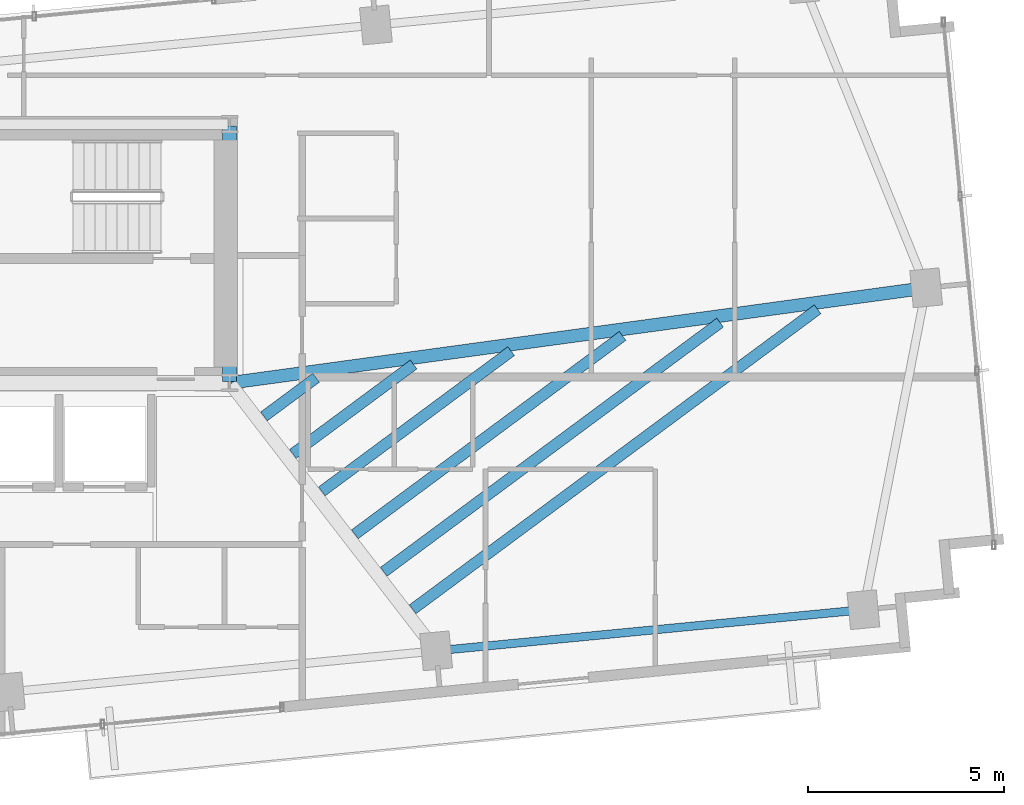
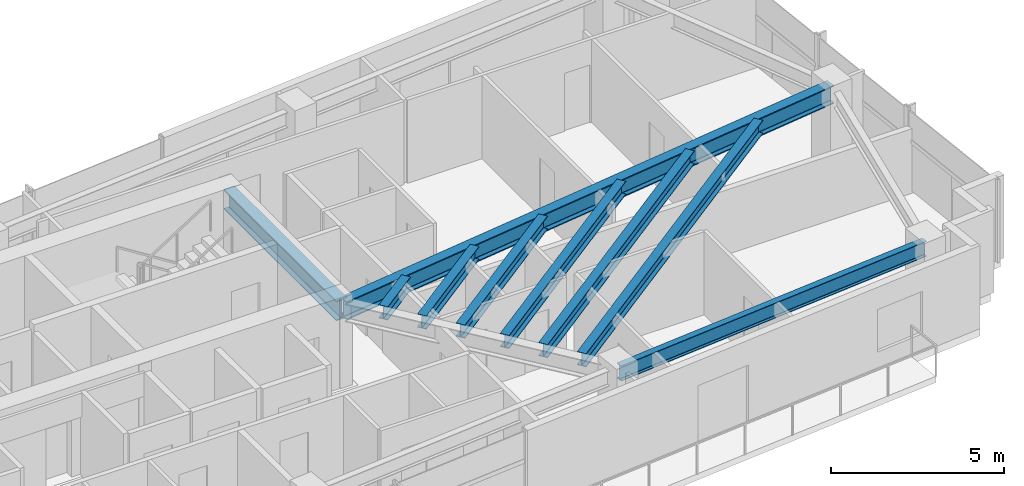
# One storey, part 9 of 18: 9 beams.
"""IFC4 building model written with IfcOpenShell, lengths in metres."""

import ifcopenshell
import ifcopenshell.guid

model = None  # the IFC model being written
_history = None  # IfcOwnerHistory: only IFC2X3 demands one
_inside = {}  # id of a spatial element -> (the spatial element, [elements in it])
_under = {}  # id of a project, library or spatial element -> (it, [spatial elements below it])
_declared = {}  # id of a project -> (the project, [libraries it declares])
_typed = {}  # id of a type object -> (the type object, [elements of that type])
_made_of = {}  # id of a material, layer set ... -> (it, [elements and type objects made of it])


def new_model(schema):
    """Start an empty IFC model of exactly this schema.

    Asked for "IFC4X3", IfcOpenShell would pick the latest addendum, in which some entities
    have other attributes; the version numbers below select the first issue.
    IFC2X3 requires an IfcOwnerHistory on every rooted entity: one is made here for all.
    """
    global model, _history
    if schema == "IFC4X3":
        model = ifcopenshell.file(schema_version=(4, 3, 0, 0))
    else:
        model = ifcopenshell.file(schema=schema)
    _inside.clear()
    _under.clear()
    _declared.clear()
    _typed.clear()
    _made_of.clear()
    _history = None
    if model.schema == "IFC2X3":
        org = make("IfcOrganization", Name="unknown")
        user = make(
            "IfcPersonAndOrganization",
            ThePerson=make("IfcPerson", FamilyName="unknown"),
            TheOrganization=org,
        )
        app = make(
            "IfcApplication",
            ApplicationDeveloper=org,
            Version="unknown",
            ApplicationFullName="unknown",
            ApplicationIdentifier="unknown",
        )
        _history = make(
            "IfcOwnerHistory",
            OwningUser=user,
            OwningApplication=app,
            ChangeAction="ADDED",
            CreationDate=0,
        )
    return model


def make(cls, **values):
    """One entity of the class cls with the attributes given. An attribute that is None is left unset."""
    return model.create_entity(
        cls, **{name: value for name, value in values.items() if value is not None}
    )


def rooted(cls, **values):
    """An entity with a GlobalId (a new one), such as an element, a storey or a relation."""
    return make(cls, GlobalId=ifcopenshell.guid.new(), OwnerHistory=_history, **values)


def si_unit(unit_type, name, prefix=None):
    """IfcSIUnit, for example si_unit("LENGTHUNIT", "METRE", prefix="MILLI")."""
    return make("IfcSIUnit", UnitType=unit_type, Prefix=prefix, Name=name)


def assignment(units):
    """IfcUnitAssignment: the units of a project."""
    return None if units is None else make("IfcUnitAssignment", Units=units)


def point(xyz):
    """IfcCartesianPoint."""
    return None if xyz is None else make("IfcCartesianPoint", Coordinates=xyz)


def direction(xyz):
    """IfcDirection."""
    return None if xyz is None else make("IfcDirection", DirectionRatios=xyz)


def frame(location, z_axis=None, x_axis=None):
    """IfcAxis2Placement3D, a coordinate frame: its origin and axes. An axis left out is left unset."""
    return make(
        "IfcAxis2Placement3D",
        Location=point(location),
        Axis=direction(z_axis),
        RefDirection=direction(x_axis),
    )


def frame_2d(location, x_axis=None):
    """IfcAxis2Placement2D, a coordinate frame in the plane: its origin and x axis."""
    return make(
        "IfcAxis2Placement2D", Location=point(location), RefDirection=direction(x_axis)
    )


def origin():
    """The frame at (0, 0, 0) with its axes left unset."""
    return frame((0.0, 0.0, 0.0))


def origin_2d():
    """The frame at (0, 0) in the plane with its x axis left unset."""
    return frame_2d((0.0, 0.0))


def place(relative_to, where):
    """IfcLocalPlacement: puts the frame where relative to a parent placement (None: the world)."""
    return make(
        "IfcLocalPlacement", PlacementRelTo=relative_to, RelativePlacement=where
    )


def context(
    kind, dimensions, precision=None, world=None, true_north=None, identifier=None
):
    """IfcGeometricRepresentationContext, for example the 3D "Model" context."""
    return make(
        "IfcGeometricRepresentationContext",
        ContextIdentifier=identifier,
        ContextType=kind,
        CoordinateSpaceDimension=dimensions,
        Precision=precision,
        WorldCoordinateSystem=world,
        TrueNorth=true_north,
    )


def subcontext(parent, identifier, kind, view, scale=None):
    """IfcGeometricRepresentationSubContext, for example "Body" below "Model"."""
    return make(
        "IfcGeometricRepresentationSubContext",
        ContextIdentifier=identifier,
        ContextType=kind,
        ParentContext=parent,
        TargetScale=scale,
        TargetView=view,
    )


def project(units=None, contexts=None):
    """IfcProject with its units and contexts."""
    return rooted(
        "IfcProject",
        Name="project",
        RepresentationContexts=contexts,
        UnitsInContext=assignment(units),
    )


def spatial(cls, under=None, at=None, **own):
    """A site, building, storey or space (cls), placed at a placement, below another one or the project."""
    s = rooted(cls, ObjectPlacement=at, **own)
    if under is not None:
        _under.setdefault(under.id(), (under, []))[1].append(s)
    return s


def profile(cls, at=None, kind="AREA", **sizes):
    """A parametric profile (cls). Its sizes go by their IFC names, for example OverallWidth=200.0."""
    return make(cls, ProfileType=kind, Position=at, **sizes)


def i_section(**sizes):
    """IfcIShapeProfileDef."""
    return profile("IfcIShapeProfileDef", **sizes)


def extrude(swept, where, along, depth):
    """IfcExtrudedAreaSolid: the profile swept, set in the frame where, extruded along a direction by depth."""
    return make(
        "IfcExtrudedAreaSolid",
        SweptArea=swept,
        Position=where,
        ExtrudedDirection=direction(along),
        Depth=depth,
    )


def shape(context_of_items, identifier, shape_type, items):
    """IfcShapeRepresentation: the items that make up one representation, for example the "Body"."""
    return make(
        "IfcShapeRepresentation",
        ContextOfItems=context_of_items,
        RepresentationIdentifier=identifier,
        RepresentationType=shape_type,
        Items=items,
    )


def source(mapping_origin, context_of_items, identifier, shape_type, items):
    """IfcRepresentationMap: a shape defined once, which mapped items show again and again."""
    return make(
        "IfcRepresentationMap",
        MappingOrigin=mapping_origin,
        MappedRepresentation=shape(context_of_items, identifier, shape_type, items),
    )


def transform(
    local_origin,
    x_axis=None,
    y_axis=None,
    z_axis=None,
    scale=None,
    scale2=None,
    scale3=None,
    uniform=True,
):
    """IfcCartesianTransformationOperator3D, or its non-uniform kind. x_axis, y_axis, z_axis: its Axis1, 2, 3."""
    if uniform:
        return make(
            "IfcCartesianTransformationOperator3D",
            Axis1=direction(x_axis),
            Axis2=direction(y_axis),
            LocalOrigin=point(local_origin),
            Scale=scale,
            Axis3=direction(z_axis),
        )
    return make(
        "IfcCartesianTransformationOperator3DnonUniform",
        Axis1=direction(x_axis),
        Axis2=direction(y_axis),
        LocalOrigin=point(local_origin),
        Scale=scale,
        Axis3=direction(z_axis),
        Scale2=scale2,
        Scale3=scale3,
    )


def mapped(mapping_source, mapping_target):
    """IfcMappedItem: shows the shape of a source again, moved by a transform."""
    return make(
        "IfcMappedItem", MappingSource=mapping_source, MappingTarget=mapping_target
    )


def material(Name=None, Category=None):
    """IfcMaterial."""
    return make("IfcMaterial", Name=Name, Category=Category)


def material_profile(
    of_material, cross_section, Name=None, Category=None, Priority=None
):
    """IfcMaterialProfile: a cross section and its material."""
    return make(
        "IfcMaterialProfile",
        Name=Name,
        Material=of_material,
        Profile=cross_section,
        Priority=Priority,
        Category=Category,
    )


def profile_set(profiles, Name=None, composite=None):
    """IfcMaterialProfileSet."""
    return make(
        "IfcMaterialProfileSet",
        Name=Name,
        MaterialProfiles=profiles,
        CompositeProfile=composite,
    )


def made_of(thing, what):
    """Note that an element or type object is made of a material, layer set ...; save() writes the relation."""
    if what is not None:
        _made_of.setdefault(what.id(), (what, []))[1].append(thing)
    return thing


def type_object(cls, material=None, **own):
    """A type object (cls), such as IfcWallType, which elements share."""
    return made_of(rooted(cls, **own), material)


def type_shapes(of_type, sources):
    """Give a type object the sources (RepresentationMaps) that its elements show as mapped items."""
    of_type.RepresentationMaps = sources


def element(
    cls,
    number,
    at=None,
    inside=None,
    cuts=None,
    type_object=None,
    material=None,
    context=None,
    identifier="Body",
    shape_type=None,
    held_by="IfcProductDefinitionShape",
    body=None,
    shapes=None,
    **own,
):
    """One element of the class cls, such as IfcWall. Its Tag is "e" and its number.

    at: its placement. inside: the storey or other place that contains it. cuts: it is an
    opening in that element (IfcRelVoidsElement). A single representation is given by context,
    identifier, shape_type and body (its items); several are given by shapes. held_by: the class
    of the entity that holds the representations. save() writes the other relations.
    """
    e = rooted(cls, Tag="e%d" % number, ObjectPlacement=at, **own)
    if body is not None:
        shapes = [shape(context, identifier, shape_type, body)]
    if shapes is not None:
        e.Representation = make(held_by, Representations=shapes)
    if inside is not None:
        _inside.setdefault(inside.id(), (inside, []))[1].append(e)
    if cuts is not None:
        rooted(
            "IfcRelVoidsElement", RelatingBuildingElement=cuts, RelatedOpeningElement=e
        )
    if type_object is not None:
        _typed.setdefault(type_object.id(), (type_object, []))[1].append(e)
    return made_of(e, material)


def aggregate(whole, parts):
    """IfcRelAggregates: a whole, such as a stair, and the parts it consists of."""
    return rooted("IfcRelAggregates", RelatingObject=whole, RelatedObjects=parts)


def save(model, path):
    """Write the relations noted so far, then the file.

    IfcRelAggregates (storeys below a building ...), IfcRelContainedInSpatialStructure (elements
    in a storey), IfcRelDefinesByType, IfcRelAssociatesMaterial and IfcRelDeclares: one each for
    every whole, place, type object, material and project.
    """
    for whole, parts in _under.values():
        aggregate(whole, parts)
    for where, things in _inside.values():
        rooted(
            "IfcRelContainedInSpatialStructure",
            RelatedElements=things,
            RelatingStructure=where,
        )
    for kind, things in _typed.values():
        rooted("IfcRelDefinesByType", RelatedObjects=things, RelatingType=kind)
    for what, things in _made_of.values():
        rooted("IfcRelAssociatesMaterial", RelatedObjects=things, RelatingMaterial=what)
    for by, libraries in _declared.values():
        rooted("IfcRelDeclares", RelatingContext=by, RelatedDefinitions=libraries)
    model.write(path)


model = new_model("IFC4")

# Units and contexts
model_context = context("Model", 3, precision=1e-05, world=origin(), true_north=direction((0.0, 1.0)))
body_context = subcontext(model_context, "Body", "Model", "MODEL_VIEW")
ifc_project = project(units=[si_unit("LENGTHUNIT", "METRE"), si_unit("AREAUNIT", "SQUARE_METRE"), si_unit("VOLUMEUNIT", "CUBIC_METRE"), si_unit("PLANEANGLEUNIT", "RADIAN"), si_unit("MASSUNIT", "GRAM", prefix="KILO")], contexts=[model_context])

# Site, building, storey
site_placement = place(None, origin())
site = spatial("IfcSite", under=ifc_project, at=site_placement, CompositionType="ELEMENT")
building_placement = place(site_placement, origin())
building = spatial("IfcBuilding", under=site, at=building_placement, Name="Astriad Promenade Condominiums", CompositionType="ELEMENT")
storey_placement = place(building_placement, frame((0.0, 0.0, 189.0)))
storey = spatial("IfcBuildingStorey", under=building, at=storey_placement, Name="L54", CompositionType="ELEMENT", Elevation=189.0)

# Beams
ifc_material = material(Name="Steel ASTM A992 Grade 50", Category="steel")
ifc_material_profile_1 = material_profile(ifc_material, i_section(OverallWidth=0.35791015625, OverallDepth=0.706298828125, WebThickness=0.018310546875, FlangeThickness=0.0302734375, FilletRadius=0.020263671875, at=origin_2d()), Name="W27X178")
ifc_profile_set_1 = profile_set([ifc_material_profile_1], Name="Steel ASTM A992 Grade 50")
beam_type_1 = type_object("IfcBeamType", Name="STEEL FLOOR GIRDER W27X178", PredefinedType="BEAM", material=ifc_profile_set_1)
shared_shape_1 = source(origin(), body_context, "Body", "SweptSolid", [
    extrude(i_section(OverallWidth=0.35791015625, OverallDepth=0.706298828125, WebThickness=0.018310546875, FlangeThickness=0.0302734375, FilletRadius=0.020263671875, at=origin_2d()), origin(), (0.0, 0.0, 1.0), 6.52001953125),
])
type_shapes(beam_type_1, [shared_shape_1])
beam_1_placement = place(storey_placement, frame((45.60009765625, 17.43994140625, 2.5869140625), z_axis=(0.0, 1.0, 0.0), x_axis=(-1.0, 0.0, 0.0)))
element("IfcBeam", 1, at=beam_1_placement, inside=storey, type_object=beam_type_1, Name="Core Ring Beam CG-E1-L54", PredefinedType="BEAM", context=body_context, shape_type="MappedRepresentation", body=[
    mapped(shared_shape_1, transform((0.0, 0.0, 0.0), scale=1.0)),
])
ifc_material_profile_2 = material_profile(ifc_material, i_section(OverallWidth=0.210693359375, OverallDepth=0.53955078125, WebThickness=0.01171875, FlangeThickness=0.018798828125, FilletRadius=0.0166015625, at=origin_2d()), Name="W21X73")
ifc_profile_set_2 = profile_set([ifc_material_profile_2], Name="Steel ASTM A992 Grade 50")
beam_type_2 = type_object("IfcBeamType", Name="STEEL SPANDREL BEAM W21X73", PredefinedType="SPANDREL", material=ifc_profile_set_2)
shared_shape_2 = source(origin(), body_context, "Body", "SweptSolid", [
    extrude(i_section(OverallWidth=0.210693359375, OverallDepth=0.53955078125, WebThickness=0.01171875, FlangeThickness=0.018798828125, FilletRadius=0.0166015625, at=origin_2d()), origin(), (0.0, 0.0, 1.0), 10.869873046875),
])
type_shapes(beam_type_2, [shared_shape_2])
beam_2_placement = place(storey_placement, frame((50.908203125, 10.5703125, 2.67041015625), z_axis=(0.995396922692, 0.095838229819, 0.0), x_axis=(-0.095838229819, 0.995396922692, 0.0)))
element("IfcBeam", 2, at=beam_2_placement, inside=storey, type_object=beam_type_2, Name="Perimeter Spandrel Beam SP-S4-L54", PredefinedType="SPANDREL", context=body_context, shape_type="MappedRepresentation", body=[
    mapped(shared_shape_2, transform((0.0, 0.0, 0.0), scale=1.0)),
])
ifc_material_profile_3 = material_profile(ifc_material, i_section(OverallWidth=0.327392578125, OverallDepth=0.640625, WebThickness=0.01904296875, FlangeThickness=0.033935546875, FilletRadius=0.017822265625, at=origin_2d()), Name="W24X176")
ifc_profile_set_3 = profile_set([ifc_material_profile_3], Name="Steel ASTM A992 Grade 50")
beam_type_3 = type_object("IfcBeamType", Name="STEEL FLOOR GIRDER W24X176", PredefinedType="BEAM", material=ifc_profile_set_3)
shared_shape_3 = source(origin(), body_context, "Body", "SweptSolid", [
    extrude(i_section(OverallWidth=0.327392578125, OverallDepth=0.640625, WebThickness=0.01904296875, FlangeThickness=0.033935546875, FilletRadius=0.017822265625, at=origin_2d()), origin(), (0.0, 0.0, 1.0), 17.853271484375),
])
type_shapes(beam_type_3, [shared_shape_3])
beam_3_placement = place(storey_placement, frame((63.32861328125, 19.82177734375, 2.61962890625), z_axis=(-0.990799186345, -0.135340209612, 0.0), x_axis=(0.135340209612, -0.990799186345, 0.0)))
element("IfcBeam", 3, at=beam_3_placement, inside=storey, type_object=beam_type_3, Name="Primary Floor Girder PG-EM-L54", PredefinedType="BEAM", context=body_context, shape_type="MappedRepresentation", body=[
    mapped(shared_shape_3, transform((0.0, 0.0, 0.0), scale=1.0)),
])
ifc_material_profile_4 = material_profile(ifc_material, i_section(OverallWidth=0.283203125, OverallDepth=0.47216796875, WebThickness=0.013671875, FlangeThickness=0.022216796875, FilletRadius=0.01513671875, at=origin_2d()), Name="W18X97")
ifc_profile_set_4 = profile_set([ifc_material_profile_4], Name="Steel ASTM A992 Grade 50")
beam_type_4 = type_object("IfcBeamType", Name="STEEL FLOOR JOIST W18X97", PredefinedType="JOIST", material=ifc_profile_set_4)
shared_shape_4 = source(origin(), body_context, "Body", "SweptSolid", [
    extrude(i_section(OverallWidth=0.283203125, OverallDepth=0.47216796875, WebThickness=0.013671875, FlangeThickness=0.022216796875, FilletRadius=0.01513671875, at=origin_2d()), origin(), (0.0, 0.0, 1.0), 12.85498046875),
])
beam_4_placement = place(storey_placement, frame((50.27001953125, 11.626220703125, 2.703857421875), z_axis=(0.803505042716, 0.595297947526, 0.0), x_axis=(-0.595297947526, 0.803505042716, 0.0)))
element("IfcBeam", 4, at=beam_4_placement, inside=storey, type_object=beam_type_4, Name="Secondary Composite Floor Joist JE1-1-L54", PredefinedType="JOIST", context=body_context, shape_type="MappedRepresentation", body=[
    mapped(shared_shape_4, transform((0.0, 0.0, 0.0), scale=1.0)),
])
shared_shape_5 = source(origin(), body_context, "Body", "SweptSolid", [
    extrude(i_section(OverallWidth=0.283203125, OverallDepth=0.47216796875, WebThickness=0.013671875, FlangeThickness=0.022216796875, FilletRadius=0.01513671875, at=origin_2d()), origin(), (0.0, 0.0, 1.0), 10.677001953125),
])
beam_5_placement = place(storey_placement, frame((49.532470703125, 12.5830078125, 2.703857421875), z_axis=(0.803509393025, 0.595292075641, 0.0), x_axis=(-0.595292075641, 0.803509393025, 0.0)))
element("IfcBeam", 5, at=beam_5_placement, inside=storey, type_object=beam_type_4, Name="Secondary Composite Floor Joist JE1-2-L54", PredefinedType="JOIST", context=body_context, shape_type="MappedRepresentation", body=[
    mapped(shared_shape_5, transform((0.0, 0.0, 0.0), scale=1.0)),
])
shared_shape_6 = source(origin(), body_context, "Body", "SweptSolid", [
    extrude(i_section(OverallWidth=0.283203125, OverallDepth=0.47216796875, WebThickness=0.013671875, FlangeThickness=0.022216796875, FilletRadius=0.01513671875, at=origin_2d()), origin(), (0.0, 0.0, 1.0), 8.4990234375),
])
beam_6_placement = place(storey_placement, frame((48.794921875, 13.539794921875, 2.703857421875), z_axis=(0.803515972929, 0.595283194159, 0.0), x_axis=(-0.595283194159, 0.803515972929, 0.0)))
element("IfcBeam", 6, at=beam_6_placement, inside=storey, type_object=beam_type_4, Name="Secondary Composite Floor Joist JE1-3-L54", PredefinedType="JOIST", context=body_context, shape_type="MappedRepresentation", body=[
    mapped(shared_shape_6, transform((0.0, 0.0, 0.0), scale=1.0)),
])
shared_shape_7 = source(origin(), body_context, "Body", "SweptSolid", [
    extrude(i_section(OverallWidth=0.283203125, OverallDepth=0.47216796875, WebThickness=0.013671875, FlangeThickness=0.022216796875, FilletRadius=0.01513671875, at=origin_2d()), origin(), (0.0, 0.0, 1.0), 6.01025390625),
])
beam_7_placement = place(storey_placement, frame((47.951904296875, 14.633056640625, 2.703857421875), z_axis=(0.803510418138, 0.595290691968, 0.0), x_axis=(-0.595290691968, 0.803510418138, 0.0)))
element("IfcBeam", 7, at=beam_7_placement, inside=storey, type_object=beam_type_4, Name="Secondary Composite Floor Joist JE1-4-L54", PredefinedType="JOIST", context=body_context, shape_type="MappedRepresentation", body=[
    mapped(shared_shape_7, transform((0.0, 0.0, 0.0), scale=1.0)),
])
shared_shape_8 = source(origin(), body_context, "Body", "SweptSolid", [
    extrude(i_section(OverallWidth=0.283203125, OverallDepth=0.47216796875, WebThickness=0.013671875, FlangeThickness=0.022216796875, FilletRadius=0.01513671875, at=origin_2d()), origin(), (0.0, 0.0, 1.0), 3.832275390625),
])
beam_8_placement = place(storey_placement, frame((47.21435546875, 15.58984375, 2.703857421875), z_axis=(0.803525593062, 0.59527020864, 0.0), x_axis=(-0.59527020864, 0.803525593062, 0.0)))
element("IfcBeam", 8, at=beam_8_placement, inside=storey, type_object=beam_type_4, Name="Secondary Composite Floor Joist JE1-5-L54", PredefinedType="JOIST", context=body_context, shape_type="MappedRepresentation", body=[
    mapped(shared_shape_8, transform((0.0, 0.0, 0.0), scale=1.0)),
])
shared_shape_9 = source(origin(), body_context, "Body", "SweptSolid", [
    extrude(i_section(OverallWidth=0.283203125, OverallDepth=0.47216796875, WebThickness=0.013671875, FlangeThickness=0.022216796875, FilletRadius=0.01513671875, at=origin_2d()), origin(), (0.0, 0.0, 1.0), 1.654541015625),
])
type_shapes(beam_type_4, [shared_shape_4, shared_shape_5, shared_shape_6, shared_shape_7, shared_shape_8, shared_shape_9])
beam_9_placement = place(storey_placement, frame((46.476806640625, 16.54638671875, 2.703857421875), z_axis=(0.803510136239, 0.595291072468, 0.0), x_axis=(-0.595291072468, 0.803510136239, 0.0)))
element("IfcBeam", 9, at=beam_9_placement, inside=storey, type_object=beam_type_4, Name="Secondary Composite Floor Joist JE1-6-L54", PredefinedType="JOIST", context=body_context, shape_type="MappedRepresentation", body=[
    mapped(shared_shape_9, transform((0.0, 0.0, 0.0), scale=1.0)),
])

save(model, "model.ifc")
